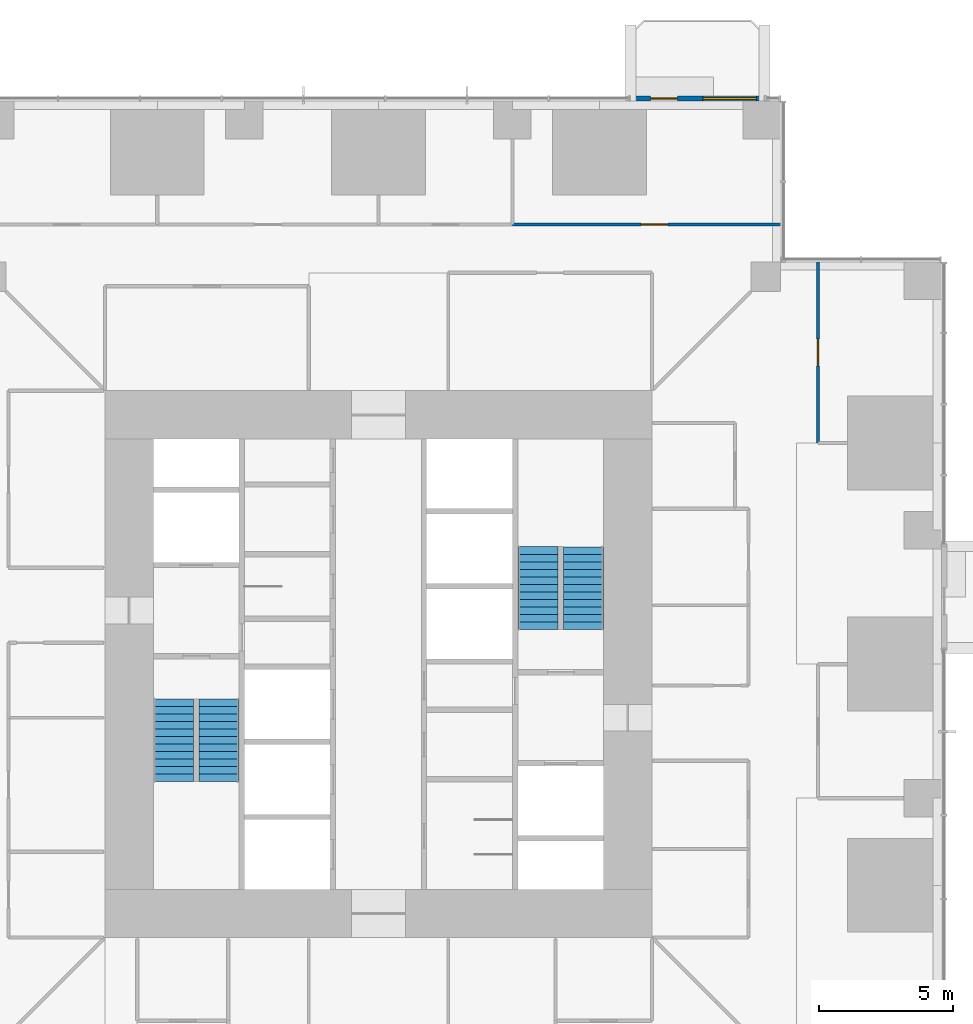
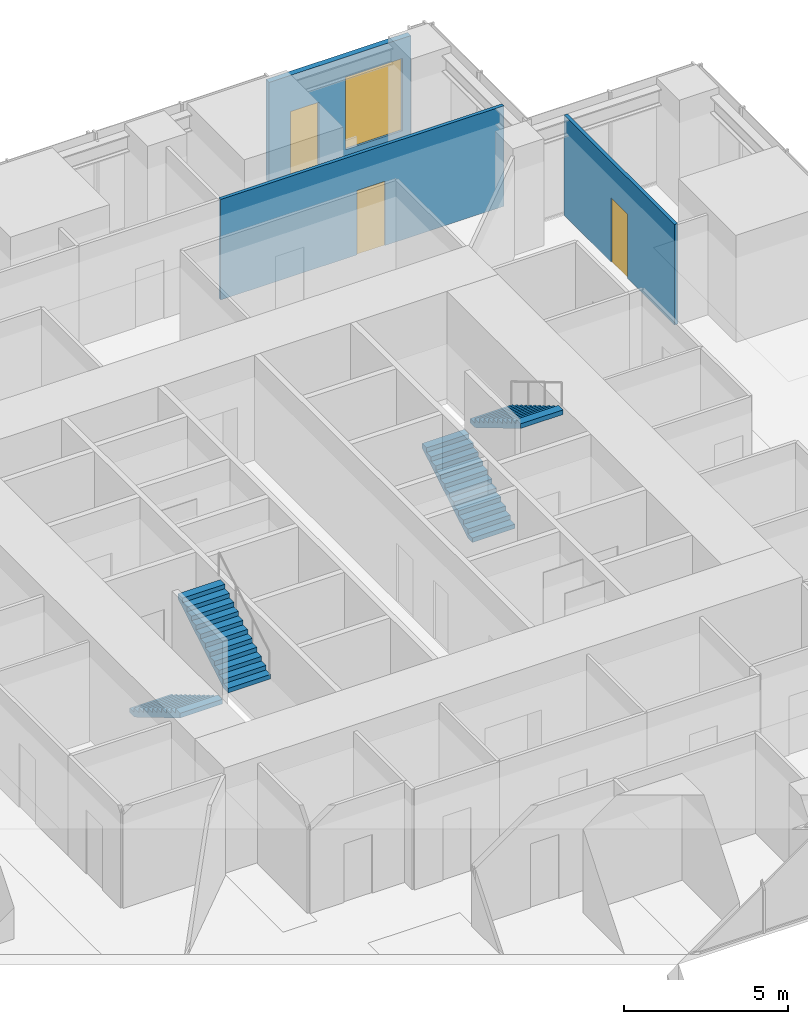
# One storey, part 14 of 18: 4 stair flights, 3 doors, 3 walls, 1 window, 4 openings, 2 elements without a shape of their own.
"""IFC4 building model written with IfcOpenShell, lengths in metres."""

from ifc_helpers import new_model, si_unit, direction, frame, frame_2d, origin, place, context, subcontext, project, spatial, polyline, rectangle, outline, extrude, material, layer, layer_set, type_object, element, fill, aggregate, save


model = new_model("IFC4")

# Units and contexts
model_context = context("Model", 3, precision=1e-05, world=origin(), true_north=direction((0.0, 1.0)))
body_context = subcontext(model_context, "Body", "Model", "MODEL_VIEW")
ifc_project = project(units=[si_unit("LENGTHUNIT", "METRE"), si_unit("AREAUNIT", "SQUARE_METRE"), si_unit("VOLUMEUNIT", "CUBIC_METRE"), si_unit("PLANEANGLEUNIT", "RADIAN"), si_unit("MASSUNIT", "GRAM", prefix="KILO")], contexts=[model_context])

# Site, building, storey
site_placement = place(None, origin())
site = spatial("IfcSite", under=ifc_project, at=site_placement, CompositionType="ELEMENT")
building_placement = place(site_placement, origin())
building = spatial("IfcBuilding", under=site, at=building_placement, Name="Svetlomir Tower", CompositionType="ELEMENT")
storey_placement = place(building_placement, frame((0.0, 0.0, 54.5)))
storey = spatial("IfcBuildingStorey", under=building, at=storey_placement, Name="L12", CompositionType="ELEMENT", Elevation=54.5)

# Wall, openings, door, window
ifc_material_1 = material(Name="Bronze anodised aluminium glazed screen", Category="aluminium")
ifc_layer_1 = layer(ifc_material_1, 0.199951171875)
ifc_layer_set_1 = layer_set([ifc_layer_1], Name="Bronze anodised aluminium glazed screen")
wall_type_1 = type_object("IfcWallType", Name="BALCONY SCREEN WALL 200", PredefinedType="USERDEFINED", material=ifc_layer_set_1)
wall_1_placement = place(storey_placement, frame((35.39990234375, 42.10009765625, 0.0), z_axis=(0.0, 0.0, 1.0), x_axis=(-1.0, 0.0, 0.0)))
wall_1 = element("IfcWall", 1, at=wall_1_placement, inside=storey, type_object=wall_type_1, Name="Balcony screen N", ObjectType="GLAZED SCREEN", PredefinedType="USERDEFINED", context=body_context, shape_type="SweptSolid", body=[
    extrude(rectangle(XDim=5.0, YDim=0.199951171875, at=frame_2d((2.5, 0.0))), origin(), (0.0, 0.0, 1.0), 3.75),
])
opening_1_placement = place(wall_1_placement, frame((3.25, 0.0, 0.0)))
opening_1 = element("IfcOpeningElement", 2, at=opening_1_placement, cuts=wall_1, Name="Opening BD", PredefinedType="OPENING", context=body_context, shape_type="SweptSolid", body=[
    extrude(rectangle(XDim=1.0, YDim=2.39990234375, at=frame_2d((0.5, 1.199951171875))), frame((0.0, 0.10986328125, 0.0), z_axis=(0.0, -1.0, 0.0), x_axis=(1.0, 0.0, 0.0)), (0.0, 0.0, 1.0), 0.219970703125),
])
opening_2_placement = place(wall_1_placement, frame((0.300048828125, 0.0, 0.300048828125)))
opening_2 = element("IfcOpeningElement", 3, at=opening_2_placement, cuts=wall_1, Name="Opening WS", PredefinedType="OPENING", context=body_context, shape_type="SweptSolid", body=[
    extrude(rectangle(XDim=2.0, YDim=2.699951171875, at=frame_2d((1.0, 1.35009765625))), frame((0.0, 0.10986328125, 0.0), z_axis=(0.0, -1.0, 0.0), x_axis=(1.0, 0.0, 0.0)), (0.0, 0.0, 1.0), 0.219970703125),
])
ifc_material_2 = material(Name="Bronze anodised aluminium glazed door", Category="aluminium")
door_type_1 = type_object("IfcDoorType", Name="BALCONY DOOR BD 1000x2400", OperationType="SINGLE_SWING_LEFT", PredefinedType="DOOR", material=ifc_material_2)
door_1_placement = place(opening_1_placement, origin())
door_1 = element("IfcDoor", 4, at=door_1_placement, inside=storey, type_object=door_type_1, Name="Balcony screen N door", OperationType="SINGLE_SWING_LEFT", OverallHeight=2.39990234375, OverallWidth=1.0, PredefinedType="DOOR", context=body_context, shape_type="SweptSolid", body=[
    extrude(rectangle(XDim=1.0, YDim=2.39990234375, at=frame_2d((0.5, 1.199951171875))), frame((0.0, 0.02490234375, 0.0), z_axis=(0.0, -1.0, 0.0), x_axis=(1.0, 0.0, 0.0)), (0.0, 0.0, 1.0), 0.050048828125),
])
fill(opening_1, door_1)
ifc_material_3 = material(Name="Bronze anodised aluminium window", Category="aluminium")
window_type = type_object("IfcWindowType", Name="SCREEN WINDOW WS 2000x2700", PartitioningType="SINGLE_PANEL", PredefinedType="WINDOW", material=ifc_material_3)
window_placement = place(opening_2_placement, origin())
window = element("IfcWindow", 5, at=window_placement, inside=storey, type_object=window_type, Name="Balcony screen N window 1", OverallHeight=2.699951171875, OverallWidth=2.0, PartitioningType="SINGLE_PANEL", PredefinedType="WINDOW", context=body_context, shape_type="SweptSolid", body=[
    extrude(rectangle(XDim=2.0, YDim=2.699951171875, at=frame_2d((1.0, 1.35009765625))), frame((0.0, 0.030029296875, 0.0), z_axis=(0.0, -1.0, 0.0), x_axis=(1.0, 0.0, 0.0)), (0.0, 0.0, 1.0), 0.06005859375),
])
fill(opening_2, window)

# Wall, opening, door
ifc_material_4 = material(Name="Gypsum board on steel studs", Category="steel")
ifc_layer_2 = layer(ifc_material_4, 0.1201171875)
ifc_layer_set_2 = layer_set([ifc_layer_2], Name="Gypsum board on steel studs")
wall_type_2 = type_object("IfcWallType", Name="PARTITION 120", PredefinedType="PARTITIONING", material=ifc_layer_set_2)
wall_2_placement = place(storey_placement, frame((26.0, 37.39990234375, 0.0), z_axis=(0.0, 0.0, 1.0), x_axis=(1.0, 0.0, 0.0)))
wall_2 = element("IfcWall", 6, at=wall_2_placement, inside=storey, type_object=wall_type_2, Name="Partition L12", PredefinedType="PARTITIONING", context=body_context, shape_type="SweptSolid", body=[
    extrude(rectangle(XDim=10.0, YDim=0.1201171875, at=frame_2d((5.0, 0.0))), origin(), (0.0, 0.0, 1.0), 3.75),
])
opening_3_placement = place(wall_2_placement, frame((4.800048828125, 0.0, 0.0)))
opening_3 = element("IfcOpeningElement", 7, at=opening_3_placement, cuts=wall_2, Name="Opening DG", PredefinedType="OPENING", context=body_context, shape_type="SweptSolid", body=[
    extrude(rectangle(XDim=1.0, YDim=2.39990234375, at=frame_2d((0.5, 1.199951171875))), frame((0.0, 0.070068359375, 0.0), z_axis=(0.0, -1.0, 0.0), x_axis=(1.0, 0.0, 0.0)), (0.0, 0.0, 1.0), 0.14013671875),
])
ifc_material_5 = material(Name="Framed laminated glass door", Category="glass")
door_type_2 = type_object("IfcDoorType", Name="GLAZED DOOR DG 1000x2400", OperationType="SINGLE_SWING_LEFT", PredefinedType="DOOR", material=ifc_material_5)
door_2_placement = place(opening_3_placement, origin())
door_2 = element("IfcDoor", 8, at=door_2_placement, inside=storey, type_object=door_type_2, Name="Ring corridor 4 door 2 L12", OperationType="SINGLE_SWING_LEFT", OverallHeight=2.39990234375, OverallWidth=1.0, PredefinedType="DOOR", context=body_context, shape_type="SweptSolid", body=[
    extrude(rectangle(XDim=1.0, YDim=2.39990234375, at=frame_2d((0.5, 1.199951171875))), frame((0.0, 0.02490234375, 0.0), z_axis=(0.0, -1.0, 0.0), x_axis=(1.0, 0.0, 0.0)), (0.0, 0.0, 1.0), 0.050048828125),
])
fill(opening_3, door_2)

wall_3_placement = place(storey_placement, frame((37.39990234375, 29.25, 0.0), z_axis=(0.0, 0.0, 1.0), x_axis=(0.0, 1.0, 0.0)))
wall_3 = element("IfcWall", 9, at=wall_3_placement, inside=storey, type_object=wall_type_2, Name="Partition L12", PredefinedType="PARTITIONING", context=body_context, shape_type="SweptSolid", body=[
    extrude(rectangle(XDim=6.75, YDim=0.1201171875, at=frame_2d((3.375, 0.0))), origin(), (0.0, 0.0, 1.0), 3.75),
])
opening_4_placement = place(wall_3_placement, frame((2.875, 0.0, 0.0)))
opening_4 = element("IfcOpeningElement", 10, at=opening_4_placement, cuts=wall_3, Name="Opening DG", PredefinedType="OPENING", context=body_context, shape_type="SweptSolid", body=[
    extrude(rectangle(XDim=1.0, YDim=2.39990234375, at=frame_2d((0.5, 1.199951171875))), frame((0.0, 0.070068359375, 0.0), z_axis=(0.0, -1.0, 0.0), x_axis=(1.0, 0.0, 0.0)), (0.0, 0.0, 1.0), 0.14013671875),
])
door_3_placement = place(opening_4_placement, origin())
door_3 = element("IfcDoor", 11, at=door_3_placement, inside=storey, type_object=door_type_2, Name="Data quiet library door L12", OperationType="SINGLE_SWING_LEFT", OverallHeight=2.39990234375, OverallWidth=1.0, PredefinedType="DOOR", context=body_context, shape_type="SweptSolid", body=[
    extrude(rectangle(XDim=1.0, YDim=2.39990234375, at=frame_2d((0.5, 1.199951171875))), frame((0.0, 0.02490234375, 0.0), z_axis=(0.0, -1.0, 0.0), x_axis=(1.0, 0.0, 0.0)), (0.0, 0.0, 1.0), 0.050048828125),
])
fill(opening_4, door_3)

# Stair, stair flights
ifc_material_6 = material(Name="Concrete C60/75", Category="concrete")
stair_type = type_object("IfcStairType", Name="EXIT STAIR 3200 RISE 4000", PredefinedType="HALF_TURN_STAIR", material=ifc_material_6)
stair_1_placement = place(storey_placement, origin())
stair_1 = element("IfcStair", 12, at=stair_1_placement, inside=storey, type_object=stair_type, Name="Stair S1 L12 to L13", PredefinedType="HALF_TURN_STAIR")
ifc_material_7 = material(Name="Concrete C60/75", Category="concrete")
stair_flight_type = type_object("IfcStairFlightType", Name="STAIR FLIGHT 1500 OF 12 RISERS", PredefinedType="STRAIGHT", material=ifc_material_7)
stair_flight_1_placement = place(storey_placement, frame((13.35009765625, 19.699951171875, 0.0), z_axis=(0.0, 0.0, 1.0), x_axis=(0.0, -1.0, 0.0)))
stair_flight_1 = element("IfcStairFlight", 13, at=stair_flight_1_placement, type_object=stair_flight_type, Name="S1 flight 1", NumberOfRisers=12, NumberOfTreads=11, PredefinedType="STRAIGHT", RiserHeight=0.166666667, TreadLength=0.28, context=body_context, shape_type="SweptSolid", body=[
    extrude(outline(polyline([(0.0, 0.0), (0.0, 0.166748046875), (0.280029296875, 0.166748046875), (0.280029296875, 0.333251953125), (0.56005859375, 0.333251953125), (0.56005859375, 0.5), (0.840087890625, 0.5), (0.840087890625, 0.666748046875), (1.1201171875, 0.666748046875), (1.1201171875, 0.833251953125), (1.39990234375, 0.833251953125), (1.39990234375, 1.0), (1.679931640625, 1.0), (1.679931640625, 1.166748046875), (1.9599609375, 1.166748046875), (1.9599609375, 1.333251953125), (2.239990234375, 1.333251953125), (2.239990234375, 1.5), (2.52001953125, 1.5), (2.52001953125, 1.666748046875), (2.800048828125, 1.666748046875), (2.800048828125, 1.833251953125), (3.080078125, 1.833251953125), (3.080078125, 2.0), (3.080078125, 1.658935546875), (0.29296875, 0.0), (0.0, 0.0)])), frame((0.0, 0.75, 0.0), z_axis=(0.0, -1.0, 0.0), x_axis=(1.0, 0.0, 0.0)), (0.0, 0.0, 1.0), 1.5),
])
stair_flight_2_placement = place(storey_placement, frame((15.050048828125, 16.6201171875, 2.0), z_axis=(0.0, 0.0, 1.0), x_axis=(0.0, 1.0, 0.0)))
stair_flight_2 = element("IfcStairFlight", 14, at=stair_flight_2_placement, type_object=stair_flight_type, Name="S1 flight 2", NumberOfRisers=12, NumberOfTreads=11, PredefinedType="STRAIGHT", RiserHeight=0.166666667, TreadLength=0.28, context=body_context, shape_type="SweptSolid", body=[
    extrude(outline(polyline([(0.0, 0.0), (0.0, 0.166748046875), (0.280029296875, 0.166748046875), (0.280029296875, 0.333251953125), (0.56005859375, 0.333251953125), (0.56005859375, 0.5), (0.840087890625, 0.5), (0.840087890625, 0.666748046875), (1.1201171875, 0.666748046875), (1.1201171875, 0.833251953125), (1.39990234375, 0.833251953125), (1.39990234375, 1.0), (1.679931640625, 1.0), (1.679931640625, 1.166748046875), (1.9599609375, 1.166748046875), (1.9599609375, 1.333251953125), (2.239990234375, 1.333251953125), (2.239990234375, 1.5), (2.52001953125, 1.5), (2.52001953125, 1.666748046875), (2.800048828125, 1.666748046875), (2.800048828125, 1.833251953125), (3.080078125, 1.833251953125), (3.080078125, 2.0), (3.080078125, 1.658935546875), (0.29296875, 0.0), (0.0, 0.0)])), frame((0.0, 0.75, 0.0), z_axis=(0.0, -1.0, 0.0), x_axis=(1.0, 0.0, 0.0)), (0.0, 0.0, 1.0), 1.5),
])
aggregate(stair_1, [stair_flight_1, stair_flight_2])

stair_2_placement = place(storey_placement, origin())
stair_2 = element("IfcStair", 15, at=stair_2_placement, inside=storey, type_object=stair_type, Name="Stair S2 L12 to L13", PredefinedType="HALF_TURN_STAIR")
stair_flight_3_placement = place(storey_placement, frame((26.949951171875, 22.300048828125, 0.0), z_axis=(0.0, 0.0, 1.0), x_axis=(0.0, 1.0, 0.0)))
stair_flight_3 = element("IfcStairFlight", 16, at=stair_flight_3_placement, type_object=stair_flight_type, Name="S2 flight 1", NumberOfRisers=12, NumberOfTreads=11, PredefinedType="STRAIGHT", RiserHeight=0.166666667, TreadLength=0.28, context=body_context, shape_type="SweptSolid", body=[
    extrude(outline(polyline([(0.0, 0.0), (0.0, 0.166748046875), (0.280029296875, 0.166748046875), (0.280029296875, 0.333251953125), (0.56005859375, 0.333251953125), (0.56005859375, 0.5), (0.840087890625, 0.5), (0.840087890625, 0.666748046875), (1.1201171875, 0.666748046875), (1.1201171875, 0.833251953125), (1.39990234375, 0.833251953125), (1.39990234375, 1.0), (1.679931640625, 1.0), (1.679931640625, 1.166748046875), (1.9599609375, 1.166748046875), (1.9599609375, 1.333251953125), (2.239990234375, 1.333251953125), (2.239990234375, 1.5), (2.52001953125, 1.5), (2.52001953125, 1.666748046875), (2.800048828125, 1.666748046875), (2.800048828125, 1.833251953125), (3.080078125, 1.833251953125), (3.080078125, 2.0), (3.080078125, 1.658935546875), (0.29296875, 0.0), (0.0, 0.0)])), frame((0.0, 0.75, 0.0), z_axis=(0.0, -1.0, 0.0), x_axis=(1.0, 0.0, 0.0)), (0.0, 0.0, 1.0), 1.5),
])
stair_flight_4_placement = place(storey_placement, frame((28.64990234375, 25.3798828125, 2.0), z_axis=(0.0, 0.0, 1.0), x_axis=(0.0, -1.0, 0.0)))
stair_flight_4 = element("IfcStairFlight", 17, at=stair_flight_4_placement, type_object=stair_flight_type, Name="S2 flight 2", NumberOfRisers=12, NumberOfTreads=11, PredefinedType="STRAIGHT", RiserHeight=0.166666667, TreadLength=0.28, context=body_context, shape_type="SweptSolid", body=[
    extrude(outline(polyline([(0.0, 0.0), (0.0, 0.166748046875), (0.280029296875, 0.166748046875), (0.280029296875, 0.333251953125), (0.56005859375, 0.333251953125), (0.56005859375, 0.5), (0.840087890625, 0.5), (0.840087890625, 0.666748046875), (1.1201171875, 0.666748046875), (1.1201171875, 0.833251953125), (1.39990234375, 0.833251953125), (1.39990234375, 1.0), (1.679931640625, 1.0), (1.679931640625, 1.166748046875), (1.9599609375, 1.166748046875), (1.9599609375, 1.333251953125), (2.239990234375, 1.333251953125), (2.239990234375, 1.5), (2.52001953125, 1.5), (2.52001953125, 1.666748046875), (2.800048828125, 1.666748046875), (2.800048828125, 1.833251953125), (3.080078125, 1.833251953125), (3.080078125, 2.0), (3.080078125, 1.658935546875), (0.29296875, 0.0), (0.0, 0.0)])), frame((0.0, 0.75, 0.0), z_axis=(0.0, -1.0, 0.0), x_axis=(1.0, 0.0, 0.0)), (0.0, 0.0, 1.0), 1.5),
])
aggregate(stair_2, [stair_flight_3, stair_flight_4])

save(model, "model.ifc")
